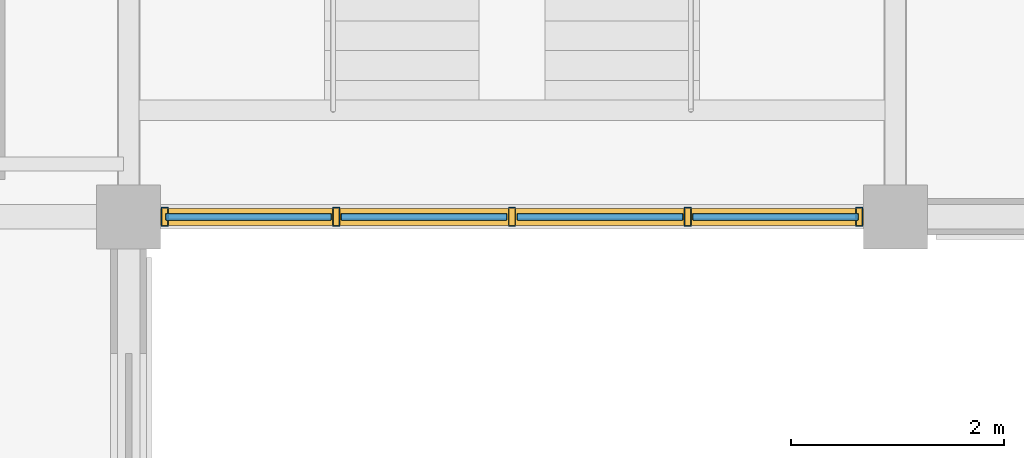
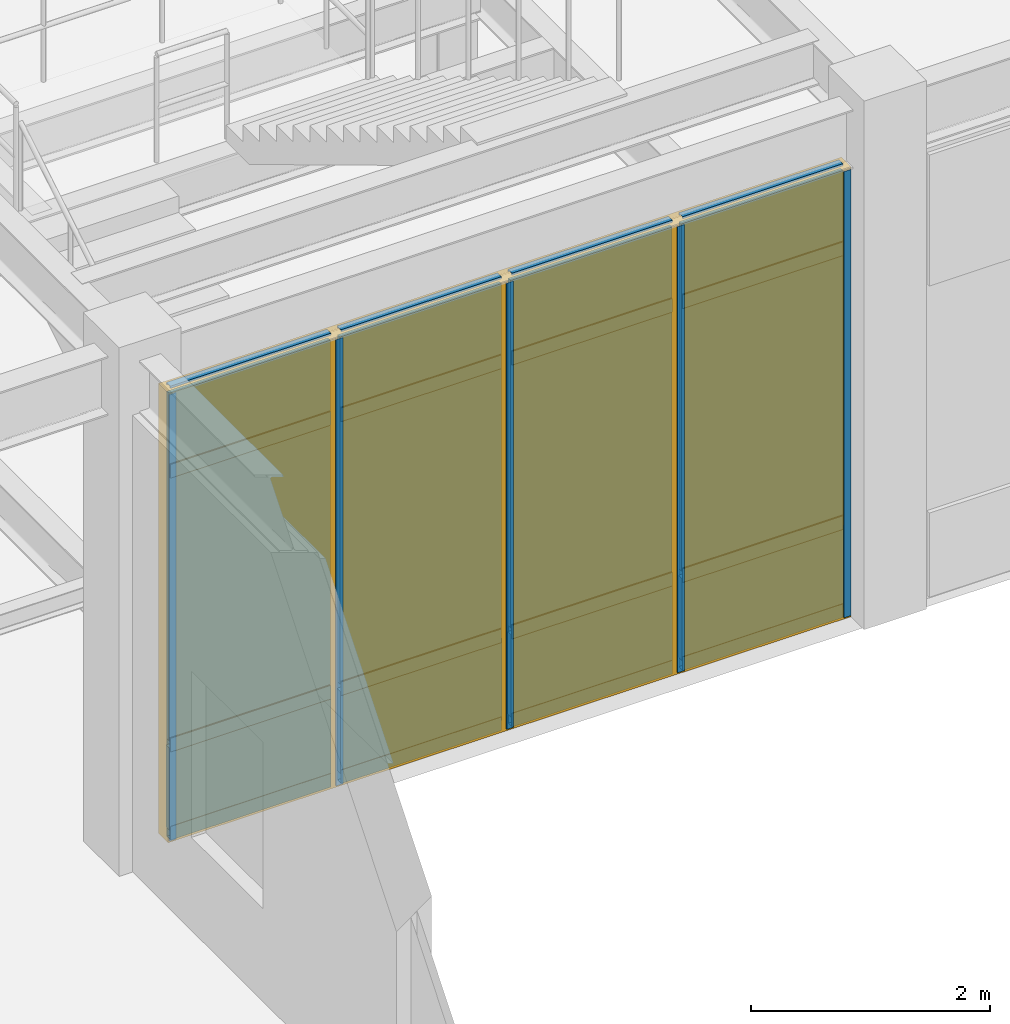
# One storey, part 50 of 97: 21 members, 8 plates, 1 curtain wall.
"""IFC4 building model written with IfcOpenShell, lengths in metres."""

from ifc_helpers import new_model, si_unit, direction, frame, origin, origin_2d, place, context, subcontext, project, spatial, rectangle, hollow_rectangle, extrude, material, layer, layer_set, material_profile, profile_set, type_object, element, aggregate, save


model = new_model("IFC4")

# Units and contexts
model_context = context("Model", 3, precision=1e-05, world=origin(), true_north=direction((0.0, 1.0)))
body_context = subcontext(model_context, "Body", "Model", "MODEL_VIEW")
ifc_project = project(units=[si_unit("LENGTHUNIT", "METRE"), si_unit("AREAUNIT", "SQUARE_METRE"), si_unit("VOLUMEUNIT", "CUBIC_METRE"), si_unit("PLANEANGLEUNIT", "RADIAN"), si_unit("MASSUNIT", "GRAM", prefix="KILO")], contexts=[model_context])

# Member
ifc_material_1 = material(Name="Anodized Aluminium 6063-T6", Category="aluminium")
ifc_material_profile_1 = material_profile(ifc_material_1, hollow_rectangle(XDim=0.06494140625, YDim=0.179931640625, WallThickness=0.00390625, at=origin_2d()), Name="ALU 65x180x4")
ifc_profile_set_1 = profile_set([ifc_material_profile_1], Name="Anodized Aluminium 6063-T6")
member_type_1 = type_object("IfcMemberType", Name="CWM-65X150", PredefinedType="MULLION", material=ifc_profile_set_1)
site_placement = place(None, origin())
building_placement = place(site_placement, origin())
storey_placement = place(building_placement, origin())
member_1_placement = place(storey_placement, frame((57.260009765625, 36.0, 0.02001953125), z_axis=(0.0, 0.0, 1.0), x_axis=(1.0, 0.0, 0.0)))
member_1 = element("IfcMember", 1, at=member_1_placement, type_object=member_type_1, Name="Curtain wall mullion CW-L01-07-05-S-00", PredefinedType="MULLION", context=body_context, shape_type="SweptSolid", body=[
    extrude(hollow_rectangle(XDim=0.06494140625, YDim=0.179931640625, WallThickness=0.00390625, at=origin_2d()), origin(), (0.0, 0.0, 1.0), 4.557861328125),
])

member_2_placement = place(storey_placement, frame((55.64990234375, 36.0, 0.02001953125), z_axis=(0.0, 0.0, 1.0), x_axis=(1.0, 0.0, 0.0)))
member_2 = element("IfcMember", 2, at=member_2_placement, type_object=member_type_1, Name="Curtain wall mullion CW-L01-07-05-S-01", PredefinedType="MULLION", context=body_context, shape_type="SweptSolid", body=[
    extrude(hollow_rectangle(XDim=0.06494140625, YDim=0.179931640625, WallThickness=0.00390625, at=origin_2d()), origin(), (0.0, 0.0, 1.0), 4.557861328125),
])

member_3_placement = place(storey_placement, frame((54.0, 36.0, 0.02001953125), z_axis=(0.0, 0.0, 1.0), x_axis=(1.0, 0.0, 0.0)))
member_3 = element("IfcMember", 3, at=member_3_placement, type_object=member_type_1, Name="Curtain wall mullion CW-L01-07-05-S-02", PredefinedType="MULLION", context=body_context, shape_type="SweptSolid", body=[
    extrude(hollow_rectangle(XDim=0.06494140625, YDim=0.179931640625, WallThickness=0.00390625, at=origin_2d()), origin(), (0.0, 0.0, 1.0), 4.557861328125),
])

member_4_placement = place(storey_placement, frame((52.35009765625, 36.0, 0.02001953125), z_axis=(0.0, 0.0, 1.0), x_axis=(1.0, 0.0, 0.0)))
member_4 = element("IfcMember", 4, at=member_4_placement, type_object=member_type_1, Name="Curtain wall mullion CW-L01-07-05-S-03", PredefinedType="MULLION", context=body_context, shape_type="SweptSolid", body=[
    extrude(hollow_rectangle(XDim=0.06494140625, YDim=0.179931640625, WallThickness=0.00390625, at=origin_2d()), origin(), (0.0, 0.0, 1.0), 4.557861328125),
])

member_5_placement = place(storey_placement, frame((50.739990234375, 36.0, 0.02001953125), z_axis=(0.0, 0.0, 1.0), x_axis=(1.0, 0.0, 0.0)))
member_5 = element("IfcMember", 5, at=member_5_placement, type_object=member_type_1, Name="Curtain wall mullion CW-L01-07-05-S-04", PredefinedType="MULLION", context=body_context, shape_type="SweptSolid", body=[
    extrude(hollow_rectangle(XDim=0.06494140625, YDim=0.179931640625, WallThickness=0.00390625, at=origin_2d()), origin(), (0.0, 0.0, 1.0), 4.557861328125),
])

ifc_material_profile_2 = material_profile(ifc_material_1, hollow_rectangle(XDim=0.06494140625, YDim=0.139892578125, WallThickness=0.00390625, at=origin_2d()), Name="ALU 65x140x4")
ifc_profile_set_2 = profile_set([ifc_material_profile_2], Name="Anodized Aluminium 6063-T6")
member_type_2 = type_object("IfcMemberType", Name="CWT-65X120", PredefinedType="USERDEFINED", material=ifc_profile_set_2)
member_6_placement = place(storey_placement, frame((57.25, 36.0, 0.050048828125), z_axis=(-1.0, 0.0, 0.0), x_axis=(0.0, -1.0, 0.0)))
member_6 = element("IfcMember", 6, at=member_6_placement, type_object=member_type_2, Name="Curtain wall transom CW-L01-07-05-S-1.01", ObjectType="TRANSOM", PredefinedType="USERDEFINED", context=body_context, shape_type="SweptSolid", body=[
    extrude(hollow_rectangle(XDim=0.06494140625, YDim=0.139892578125, WallThickness=0.00390625, at=origin_2d()), origin(), (0.0, 0.0, 1.0), 1.550048828125),
])

member_7_placement = place(storey_placement, frame((55.60009765625, 36.0, 0.050048828125), z_axis=(-1.0, 0.0, 0.0), x_axis=(0.0, -1.0, 0.0)))
member_7 = element("IfcMember", 7, at=member_7_placement, type_object=member_type_2, Name="Curtain wall transom CW-L01-07-05-S-1.02", ObjectType="TRANSOM", PredefinedType="USERDEFINED", context=body_context, shape_type="SweptSolid", body=[
    extrude(hollow_rectangle(XDim=0.06494140625, YDim=0.139892578125, WallThickness=0.00390625, at=origin_2d()), origin(), (0.0, 0.0, 1.0), 1.550048828125),
])

member_8_placement = place(storey_placement, frame((53.949951171875, 36.0, 0.050048828125), z_axis=(-1.0, 0.0, 0.0), x_axis=(0.0, -1.0, 0.0)))
member_8 = element("IfcMember", 8, at=member_8_placement, type_object=member_type_2, Name="Curtain wall transom CW-L01-07-05-S-1.03", ObjectType="TRANSOM", PredefinedType="USERDEFINED", context=body_context, shape_type="SweptSolid", body=[
    extrude(hollow_rectangle(XDim=0.06494140625, YDim=0.139892578125, WallThickness=0.00390625, at=origin_2d()), origin(), (0.0, 0.0, 1.0), 1.550048828125),
])

member_9_placement = place(storey_placement, frame((52.300048828125, 36.0, 0.050048828125), z_axis=(-1.0, 0.0, 0.0), x_axis=(0.0, -1.0, 0.0)))
member_9 = element("IfcMember", 9, at=member_9_placement, type_object=member_type_2, Name="Curtain wall transom CW-L01-07-05-S-1.04", ObjectType="TRANSOM", PredefinedType="USERDEFINED", context=body_context, shape_type="SweptSolid", body=[
    extrude(hollow_rectangle(XDim=0.06494140625, YDim=0.139892578125, WallThickness=0.00390625, at=origin_2d()), origin(), (0.0, 0.0, 1.0), 1.550048828125),
])

member_10_placement = place(storey_placement, frame((57.25, 36.0, 0.949951171875), z_axis=(-1.0, 0.0, 0.0), x_axis=(0.0, -1.0, 0.0)))
member_10 = element("IfcMember", 10, at=member_10_placement, type_object=member_type_2, Name="Curtain wall transom CW-L01-07-05-S-2.01", ObjectType="TRANSOM", PredefinedType="USERDEFINED", context=body_context, shape_type="SweptSolid", body=[
    extrude(hollow_rectangle(XDim=0.06494140625, YDim=0.139892578125, WallThickness=0.00390625, at=origin_2d()), origin(), (0.0, 0.0, 1.0), 1.550048828125),
])

member_11_placement = place(storey_placement, frame((55.60009765625, 36.0, 0.949951171875), z_axis=(-1.0, 0.0, 0.0), x_axis=(0.0, -1.0, 0.0)))
member_11 = element("IfcMember", 11, at=member_11_placement, type_object=member_type_2, Name="Curtain wall transom CW-L01-07-05-S-2.02", ObjectType="TRANSOM", PredefinedType="USERDEFINED", context=body_context, shape_type="SweptSolid", body=[
    extrude(hollow_rectangle(XDim=0.06494140625, YDim=0.139892578125, WallThickness=0.00390625, at=origin_2d()), origin(), (0.0, 0.0, 1.0), 1.550048828125),
])

member_12_placement = place(storey_placement, frame((53.949951171875, 36.0, 0.949951171875), z_axis=(-1.0, 0.0, 0.0), x_axis=(0.0, -1.0, 0.0)))
member_12 = element("IfcMember", 12, at=member_12_placement, type_object=member_type_2, Name="Curtain wall transom CW-L01-07-05-S-2.03", ObjectType="TRANSOM", PredefinedType="USERDEFINED", context=body_context, shape_type="SweptSolid", body=[
    extrude(hollow_rectangle(XDim=0.06494140625, YDim=0.139892578125, WallThickness=0.00390625, at=origin_2d()), origin(), (0.0, 0.0, 1.0), 1.550048828125),
])

member_13_placement = place(storey_placement, frame((52.300048828125, 36.0, 0.949951171875), z_axis=(-1.0, 0.0, 0.0), x_axis=(0.0, -1.0, 0.0)))
member_13 = element("IfcMember", 13, at=member_13_placement, type_object=member_type_2, Name="Curtain wall transom CW-L01-07-05-S-2.04", ObjectType="TRANSOM", PredefinedType="USERDEFINED", context=body_context, shape_type="SweptSolid", body=[
    extrude(hollow_rectangle(XDim=0.06494140625, YDim=0.139892578125, WallThickness=0.00390625, at=origin_2d()), origin(), (0.0, 0.0, 1.0), 1.550048828125),
])

member_14_placement = place(storey_placement, frame((57.25, 36.0, 3.748046875), z_axis=(-1.0, 0.0, 0.0), x_axis=(0.0, -1.0, 0.0)))
member_14 = element("IfcMember", 14, at=member_14_placement, type_object=member_type_2, Name="Curtain wall transom CW-L01-07-05-S-3.01", ObjectType="TRANSOM", PredefinedType="USERDEFINED", context=body_context, shape_type="SweptSolid", body=[
    extrude(hollow_rectangle(XDim=0.06494140625, YDim=0.139892578125, WallThickness=0.00390625, at=origin_2d()), origin(), (0.0, 0.0, 1.0), 1.550048828125),
])

member_15_placement = place(storey_placement, frame((55.60009765625, 36.0, 3.748046875), z_axis=(-1.0, 0.0, 0.0), x_axis=(0.0, -1.0, 0.0)))
member_15 = element("IfcMember", 15, at=member_15_placement, type_object=member_type_2, Name="Curtain wall transom CW-L01-07-05-S-3.02", ObjectType="TRANSOM", PredefinedType="USERDEFINED", context=body_context, shape_type="SweptSolid", body=[
    extrude(hollow_rectangle(XDim=0.06494140625, YDim=0.139892578125, WallThickness=0.00390625, at=origin_2d()), origin(), (0.0, 0.0, 1.0), 1.550048828125),
])

member_16_placement = place(storey_placement, frame((53.949951171875, 36.0, 3.748046875), z_axis=(-1.0, 0.0, 0.0), x_axis=(0.0, -1.0, 0.0)))
member_16 = element("IfcMember", 16, at=member_16_placement, type_object=member_type_2, Name="Curtain wall transom CW-L01-07-05-S-3.03", ObjectType="TRANSOM", PredefinedType="USERDEFINED", context=body_context, shape_type="SweptSolid", body=[
    extrude(hollow_rectangle(XDim=0.06494140625, YDim=0.139892578125, WallThickness=0.00390625, at=origin_2d()), origin(), (0.0, 0.0, 1.0), 1.550048828125),
])

member_17_placement = place(storey_placement, frame((52.300048828125, 36.0, 3.748046875), z_axis=(-1.0, 0.0, 0.0), x_axis=(0.0, -1.0, 0.0)))
member_17 = element("IfcMember", 17, at=member_17_placement, type_object=member_type_2, Name="Curtain wall transom CW-L01-07-05-S-3.04", ObjectType="TRANSOM", PredefinedType="USERDEFINED", context=body_context, shape_type="SweptSolid", body=[
    extrude(hollow_rectangle(XDim=0.06494140625, YDim=0.139892578125, WallThickness=0.00390625, at=origin_2d()), origin(), (0.0, 0.0, 1.0), 1.550048828125),
])

member_18_placement = place(storey_placement, frame((57.25, 36.0, 4.548095703125), z_axis=(-1.0, 0.0, 0.0), x_axis=(0.0, -1.0, 0.0)))
member_18 = element("IfcMember", 18, at=member_18_placement, type_object=member_type_2, Name="Curtain wall transom CW-L01-07-05-S-4.01", ObjectType="TRANSOM", PredefinedType="USERDEFINED", context=body_context, shape_type="SweptSolid", body=[
    extrude(hollow_rectangle(XDim=0.06494140625, YDim=0.139892578125, WallThickness=0.00390625, at=origin_2d()), origin(), (0.0, 0.0, 1.0), 1.550048828125),
])

member_19_placement = place(storey_placement, frame((55.60009765625, 36.0, 4.548095703125), z_axis=(-1.0, 0.0, 0.0), x_axis=(0.0, -1.0, 0.0)))
member_19 = element("IfcMember", 19, at=member_19_placement, type_object=member_type_2, Name="Curtain wall transom CW-L01-07-05-S-4.02", ObjectType="TRANSOM", PredefinedType="USERDEFINED", context=body_context, shape_type="SweptSolid", body=[
    extrude(hollow_rectangle(XDim=0.06494140625, YDim=0.139892578125, WallThickness=0.00390625, at=origin_2d()), origin(), (0.0, 0.0, 1.0), 1.550048828125),
])

member_20_placement = place(storey_placement, frame((53.949951171875, 36.0, 4.548095703125), z_axis=(-1.0, 0.0, 0.0), x_axis=(0.0, -1.0, 0.0)))
member_20 = element("IfcMember", 20, at=member_20_placement, type_object=member_type_2, Name="Curtain wall transom CW-L01-07-05-S-4.03", ObjectType="TRANSOM", PredefinedType="USERDEFINED", context=body_context, shape_type="SweptSolid", body=[
    extrude(hollow_rectangle(XDim=0.06494140625, YDim=0.139892578125, WallThickness=0.00390625, at=origin_2d()), origin(), (0.0, 0.0, 1.0), 1.550048828125),
])

member_21_placement = place(storey_placement, frame((52.300048828125, 36.0, 4.548095703125), z_axis=(-1.0, 0.0, 0.0), x_axis=(0.0, -1.0, 0.0)))
member_21 = element("IfcMember", 21, at=member_21_placement, type_object=member_type_2, Name="Curtain wall transom CW-L01-07-05-S-4.04", ObjectType="TRANSOM", PredefinedType="USERDEFINED", context=body_context, shape_type="SweptSolid", body=[
    extrude(hollow_rectangle(XDim=0.06494140625, YDim=0.139892578125, WallThickness=0.00390625, at=origin_2d()), origin(), (0.0, 0.0, 1.0), 1.550048828125),
])

# Plate
ifc_material_2 = material(Name="Double Low-E Insulated Glazing Unit", Category="glass")
ifc_layer_1 = layer(ifc_material_2, 0.0380859375)
ifc_layer_set_1 = layer_set([ifc_layer_1], Name="Double Low-E Insulated Glazing Unit")
plate_type_1 = type_object("IfcPlateType", Name="CWP-IGU-38", PredefinedType="CURTAIN_PANEL", material=ifc_layer_set_1)
plate_1_placement = place(storey_placement, frame((56.47509765625, 36.0, 0.98974609375), z_axis=(0.0, 0.0, 1.0), x_axis=(-1.0, 0.0, 0.0)))
plate_1 = element("IfcPlate", 22, at=plate_1_placement, type_object=plate_type_1, Name="Curtain wall vision glazing CW-L01-07-05-S-01", PredefinedType="CURTAIN_PANEL", context=body_context, shape_type="SweptSolid", body=[
    extrude(rectangle(XDim=1.56005859375, YDim=0.0400390625, at=origin_2d()), origin(), (0.0, 0.0, 1.0), 3.548095703125),
])

plate_2_placement = place(storey_placement, frame((54.824951171875, 36.0, 0.98974609375), z_axis=(0.0, 0.0, 1.0), x_axis=(-1.0, 0.0, 0.0)))
plate_2 = element("IfcPlate", 23, at=plate_2_placement, type_object=plate_type_1, Name="Curtain wall vision glazing CW-L01-07-05-S-02", PredefinedType="CURTAIN_PANEL", context=body_context, shape_type="SweptSolid", body=[
    extrude(rectangle(XDim=1.56005859375, YDim=0.0400390625, at=origin_2d()), origin(), (0.0, 0.0, 1.0), 3.548095703125),
])

plate_3_placement = place(storey_placement, frame((53.175048828125, 36.0, 0.98974609375), z_axis=(0.0, 0.0, 1.0), x_axis=(-1.0, 0.0, 0.0)))
plate_3 = element("IfcPlate", 24, at=plate_3_placement, type_object=plate_type_1, Name="Curtain wall vision glazing CW-L01-07-05-S-03", PredefinedType="CURTAIN_PANEL", context=body_context, shape_type="SweptSolid", body=[
    extrude(rectangle(XDim=1.56005859375, YDim=0.0400390625, at=origin_2d()), origin(), (0.0, 0.0, 1.0), 3.548095703125),
])

plate_4_placement = place(storey_placement, frame((51.52490234375, 36.0, 0.98974609375), z_axis=(0.0, 0.0, 1.0), x_axis=(-1.0, 0.0, 0.0)))
plate_4 = element("IfcPlate", 25, at=plate_4_placement, type_object=plate_type_1, Name="Curtain wall vision glazing CW-L01-07-05-S-04", PredefinedType="CURTAIN_PANEL", context=body_context, shape_type="SweptSolid", body=[
    extrude(rectangle(XDim=1.56005859375, YDim=0.0400390625, at=origin_2d()), origin(), (0.0, 0.0, 1.0), 3.548095703125),
])

ifc_material_3 = material(Name="Insulated Bronze Aluminium Spandrel", Category="aluminium")
ifc_layer_2 = layer(ifc_material_3, 0.06005859375)
ifc_layer_set_2 = layer_set([ifc_layer_2], Name="Insulated Bronze Aluminium Spandrel")
plate_type_2 = type_object("IfcPlateType", Name="CWP-SPN-60", PredefinedType="CURTAIN_PANEL", material=ifc_layer_set_2)
plate_5_placement = place(storey_placement, frame((56.47509765625, 36.0, 0.080078125), z_axis=(0.0, 0.0, 1.0), x_axis=(-1.0, 0.0, 0.0)))
plate_5 = element("IfcPlate", 26, at=plate_5_placement, type_object=plate_type_2, Name="Curtain wall spandrel panel CW-L01-07-05-S-01", PredefinedType="CURTAIN_PANEL", context=body_context, shape_type="SweptSolid", body=[
    extrude(rectangle(XDim=1.56005859375, YDim=0.06005859375, at=origin_2d()), origin(), (0.0, 0.0, 1.0), 0.840087890625),
])

plate_6_placement = place(storey_placement, frame((54.824951171875, 36.0, 0.080078125), z_axis=(0.0, 0.0, 1.0), x_axis=(-1.0, 0.0, 0.0)))
plate_6 = element("IfcPlate", 27, at=plate_6_placement, type_object=plate_type_2, Name="Curtain wall spandrel panel CW-L01-07-05-S-02", PredefinedType="CURTAIN_PANEL", context=body_context, shape_type="SweptSolid", body=[
    extrude(rectangle(XDim=1.56005859375, YDim=0.06005859375, at=origin_2d()), origin(), (0.0, 0.0, 1.0), 0.840087890625),
])

plate_7_placement = place(storey_placement, frame((53.175048828125, 36.0, 0.080078125), z_axis=(0.0, 0.0, 1.0), x_axis=(-1.0, 0.0, 0.0)))
plate_7 = element("IfcPlate", 28, at=plate_7_placement, type_object=plate_type_2, Name="Curtain wall spandrel panel CW-L01-07-05-S-03", PredefinedType="CURTAIN_PANEL", context=body_context, shape_type="SweptSolid", body=[
    extrude(rectangle(XDim=1.56005859375, YDim=0.06005859375, at=origin_2d()), origin(), (0.0, 0.0, 1.0), 0.840087890625),
])

plate_8_placement = place(storey_placement, frame((51.52490234375, 36.0, 0.080078125), z_axis=(0.0, 0.0, 1.0), x_axis=(-1.0, 0.0, 0.0)))
plate_8 = element("IfcPlate", 29, at=plate_8_placement, type_object=plate_type_2, Name="Curtain wall spandrel panel CW-L01-07-05-S-04", PredefinedType="CURTAIN_PANEL", context=body_context, shape_type="SweptSolid", body=[
    extrude(rectangle(XDim=1.56005859375, YDim=0.06005859375, at=origin_2d()), origin(), (0.0, 0.0, 1.0), 0.840087890625),
])

# Site, building, storey
site = spatial("IfcSite", under=ifc_project, at=site_placement, CompositionType="ELEMENT")
building = spatial("IfcBuilding", under=site, at=building_placement, Name="Sillqori Civic Hall", CompositionType="ELEMENT")
storey = spatial("IfcBuildingStorey", under=building, at=storey_placement, Name="L01", CompositionType="ELEMENT", Elevation=0.0)

# Curtain wall
ifc_material_4 = material(Name="Anodized Aluminium Curtain Wall System", Category="aluminium")
curtain_wall_type = type_object("IfcCurtainWallType", Name="CW-SF-540", PredefinedType="NOTDEFINED", material=ifc_material_4)
curtain_wall_placement = place(storey_placement, frame((54.0, 36.0, 0.0), z_axis=(0.0, 0.0, 1.0), x_axis=(-1.0, 0.0, 0.0)))
curtain_wall = element("IfcCurtainWall", 30, at=curtain_wall_placement, inside=storey, type_object=curtain_wall_type, Name="L01 unitised curtain wall CW-L01-07-05-S", PredefinedType="NOTDEFINED", context=body_context, shape_type="SweptSolid", body=[
    extrude(rectangle(XDim=6.60009765625, YDim=0.159912109375, at=origin_2d()), origin(), (0.0, 0.0, 1.0), 4.597900390625),
])

aggregate(curtain_wall, [member_1, member_2, member_3, member_4, member_5, member_6, member_7, member_8, member_9, member_10, member_11, member_12, member_13, member_14, member_15, member_16, member_17, member_18, member_19, member_20, member_21, plate_5, plate_1, plate_6, plate_2, plate_7, plate_3, plate_8, plate_4])

save(model, "model.ifc")
